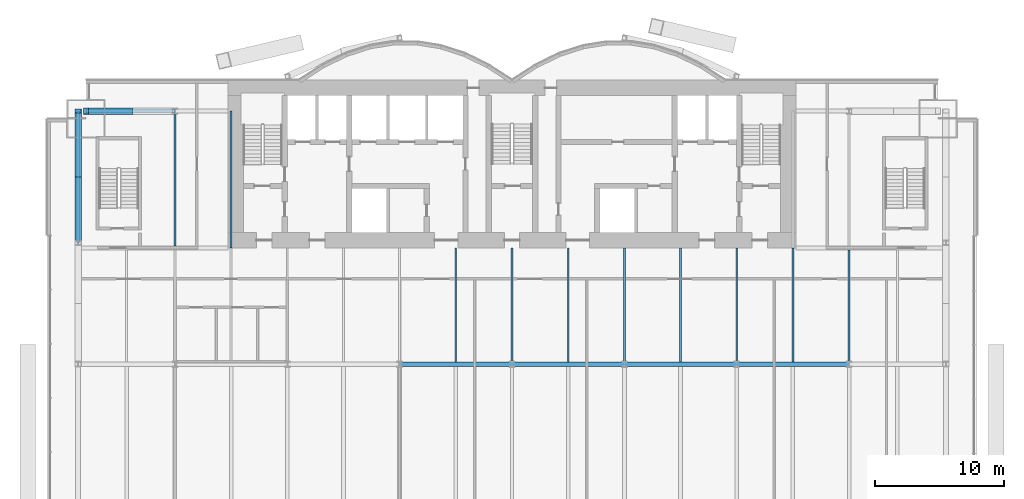
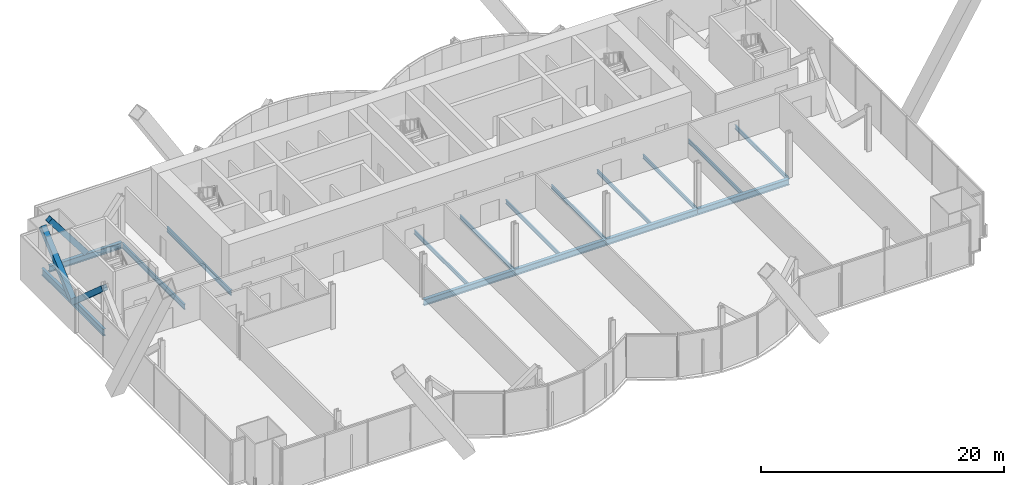
# One storey, part 10 of 23: 16 beams, 3 members.
"""IFC4 building model written with IfcOpenShell, lengths in metres."""

from ifc_helpers import new_model, si_unit, direction, frame, origin, origin_2d, place, context, subcontext, project, spatial, hollow_rectangle, i_section, extrude, material, material_profile, profile_set, type_object, element, save


model = new_model("IFC4")

# Units and contexts
model_context = context("Model", 3, precision=1e-05, world=origin(), true_north=direction((0.0, 1.0)))
body_context = subcontext(model_context, "Body", "Model", "MODEL_VIEW")
ifc_project = project(units=[si_unit("LENGTHUNIT", "METRE"), si_unit("AREAUNIT", "SQUARE_METRE"), si_unit("VOLUMEUNIT", "CUBIC_METRE"), si_unit("PLANEANGLEUNIT", "RADIAN"), si_unit("MASSUNIT", "GRAM", prefix="KILO")], contexts=[model_context])

# Site, building, storey
site_placement = place(None, origin())
site = spatial("IfcSite", under=ifc_project, at=site_placement, CompositionType="ELEMENT")
building_placement = place(site_placement, origin())
building = spatial("IfcBuilding", under=site, at=building_placement, Name="Bicima Exchange Tower", CompositionType="ELEMENT")
storey_placement = place(building_placement, frame((0.0, 0.0, 62.0)))
storey = spatial("IfcBuildingStorey", under=building, at=storey_placement, Name="L12", CompositionType="ELEMENT", Elevation=62.0)

# Beams
ifc_material_1 = material(Name="Steel ASTM A992 Gr 50", Category="steel")
ifc_material_profile_1 = material_profile(ifc_material_1, i_section(OverallWidth=0.256591796875, OverallDepth=0.693359375, WebThickness=0.014404296875, FlangeThickness=0.023681640625, at=origin_2d()))
ifc_profile_set_1 = profile_set([ifc_material_profile_1], Name="Steel ASTM A992 Gr 50")
beam_type_1 = type_object("IfcBeamType", Name="End girder W27x114", PredefinedType="BEAM", material=ifc_profile_set_1)
beam_1_placement = place(storey_placement, frame((-33.60009765625, -2.39990234375, -0.49658203125), z_axis=(0.0, -1.0, 0.0), x_axis=(1.0, 0.0, 0.0)))
element("IfcBeam", 1, at=beam_1_placement, inside=storey, type_object=beam_type_1, Name="End girder", PredefinedType="BEAM", context=body_context, shape_type="SweptSolid", body=[
    extrude(i_section(OverallWidth=0.256591796875, OverallDepth=0.693359375, WebThickness=0.014404296875, FlangeThickness=0.023681640625, at=origin_2d()), origin(), (0.0, 0.0, 1.0), 10.2001953125),
])
ifc_material_profile_2 = material_profile(ifc_material_1, i_section(OverallWidth=0.140380859375, OverallDepth=0.40380859375, WebThickness=0.007080078125, FlangeThickness=0.01123046875, at=origin_2d()))
ifc_profile_set_2 = profile_set([ifc_material_profile_2], Name="Steel ASTM A992 Gr 50")
beam_type_2 = type_object("IfcBeamType", Name="Floor beam W16x31", PredefinedType="JOIST", material=ifc_profile_set_2)
for number, where, z_axis, x_axis, name in (
    (2, (-4.35009765625, -13.0, -0.351806640625), (0.0, -1.0, 0.0), (1.0, 0.0, 0.0), "Floor beam"),
    (3, (0.0, -13.0, -0.351806640625), (0.0, -1.0, 0.0), (1.0, 0.0, 0.0), "Floor beam"),
    (4, (4.35009765625, -13.0, -0.351806640625), (0.0, -1.0, 0.0), (1.0, 0.0, 0.0), "Floor beam"),
    (5, (8.699951171875, -13.0, -0.351806640625), (0.0, -1.0, 0.0), (1.0, 0.0, 0.0), "Floor beam"),
    (6, (13.050048828125, -13.0, -0.351806640625), (0.0, -1.0, 0.0), (1.0, 0.0, 0.0), "Floor beam"),
    (7, (17.39990234375, -13.0, -0.351806640625), (0.0, -1.0, 0.0), (1.0, 0.0, 0.0), "Floor beam"),
    (8, (21.75, -13.0, -0.351806640625), (0.0, -1.0, 0.0), (1.0, 0.0, 0.0), "Floor beam"),
):
    element("IfcBeam", number, at=place(storey_placement, frame(where, z_axis=z_axis, x_axis=x_axis)), inside=storey, type_object=beam_type_2, Name=name, PredefinedType="JOIST", context=body_context, shape_type="SweptSolid", body=[
        extrude(i_section(OverallWidth=0.140380859375, OverallDepth=0.40380859375, WebThickness=0.007080078125, FlangeThickness=0.01123046875, at=origin_2d()), origin(), (0.0, 0.0, 1.0), 8.83740234375),
    ])
beam_2_placement = place(storey_placement, frame((26.10009765625, -13.15234375, -0.351806640625), z_axis=(0.0, -1.0, 0.0), x_axis=(1.0, 0.0, 0.0)))
element("IfcBeam", 9, at=beam_2_placement, inside=storey, type_object=beam_type_2, Name="Floor beam", PredefinedType="JOIST", context=body_context, shape_type="SweptSolid", body=[
    extrude(i_section(OverallWidth=0.140380859375, OverallDepth=0.40380859375, WebThickness=0.007080078125, FlangeThickness=0.01123046875, at=origin_2d()), origin(), (0.0, 0.0, 1.0), 8.68505859375),
])
ifc_material_profile_3 = material_profile(ifc_material_1, i_section(OverallWidth=0.165771484375, OverallDepth=0.5283203125, WebThickness=0.009765625, FlangeThickness=0.013671875, at=origin_2d()))
ifc_profile_set_3 = profile_set([ifc_material_profile_3], Name="Steel ASTM A992 Gr 50")
beam_type_3 = type_object("IfcBeamType", Name="Floor beam W21x50", PredefinedType="JOIST", material=ifc_profile_set_3)
beam_3_placement = place(storey_placement, frame((-26.10009765625, -2.5625, -0.414306640625), z_axis=(0.0, -1.0, 0.0), x_axis=(1.0, 0.0, 0.0)))
element("IfcBeam", 10, at=beam_3_placement, inside=storey, type_object=beam_type_3, Name="Floor beam", PredefinedType="JOIST", context=body_context, shape_type="SweptSolid", body=[
    extrude(i_section(OverallWidth=0.165771484375, OverallDepth=0.5283203125, WebThickness=0.009765625, FlangeThickness=0.013671875, at=origin_2d()), origin(), (0.0, 0.0, 1.0), 10.28515625),
])
beam_4_placement = place(storey_placement, frame((-21.75, -2.39990234375, -0.414306640625), z_axis=(0.0, -1.0, 0.0), x_axis=(1.0, 0.0, 0.0)))
element("IfcBeam", 11, at=beam_4_placement, inside=storey, type_object=beam_type_3, Name="Floor beam", PredefinedType="JOIST", context=body_context, shape_type="SweptSolid", body=[
    extrude(i_section(OverallWidth=0.165771484375, OverallDepth=0.5283203125, WebThickness=0.009765625, FlangeThickness=0.013671875, at=origin_2d()), origin(), (0.0, 0.0, 1.0), 10.60009765625),
])

# Members
ifc_material_2 = material(Name="Steel ASTM A572 Gr 50", Category="steel")
ifc_material_profile_4 = material_profile(ifc_material_2, hollow_rectangle(XDim=0.508056640625, YDim=0.508056640625, WallThickness=0.017822265625, at=origin_2d()))
ifc_profile_set_4 = profile_set([ifc_material_profile_4], Name="Steel ASTM A572 Gr 50")
member_type = type_object("IfcMemberType", Name="Mega brace HSS20x20x3/4", PredefinedType="BRACE", material=ifc_profile_set_4)
member_placement = place(storey_placement, frame((-29.550048828125, -2.39990234375, 0.0), z_axis=(-0.608426120198, 0.0, 0.793610519248), x_axis=(0.0, -1.0, 0.0)))
element("IfcMember", 12, at=member_placement, inside=storey, type_object=member_type, Name="Mega brace rear", PredefinedType="BRACE", context=body_context, shape_type="SweptSolid", body=[
    extrude(hollow_rectangle(XDim=0.508056640625, YDim=0.508056640625, WallThickness=0.017822265625, at=origin_2d()), origin(), (0.0, 0.0, 1.0), 5.670166015625),
])
for number, where, z_axis, x_axis, name in (
    (13, (-33.60009765625, -7.5, -0.49658203125), (0.0, -0.749844140428, 0.661614513948), (1.0, 0.0, 0.0), "Mega brace west end"),
    (14, (-33.60009765625, -7.5, -0.49658203125), (0.0, 0.749844140428, 0.661614513948), (-1.0, 0.0, 0.0), "Mega brace west end"),
):
    element("IfcMember", number, at=place(storey_placement, frame(where, z_axis=z_axis, x_axis=x_axis)), inside=storey, type_object=member_type, Name=name, PredefinedType="BRACE", context=body_context, shape_type="SweptSolid", body=[
        extrude(hollow_rectangle(XDim=0.508056640625, YDim=0.508056640625, WallThickness=0.017822265625, at=origin_2d()), origin(), (0.0, 0.0, 1.0), 6.801513671875),
    ])

# Beams
ifc_material_profile_5 = material_profile(ifc_material_1, i_section(OverallWidth=0.3251953125, OverallDepth=0.612060546875, WebThickness=0.0126953125, FlangeThickness=0.01904296875, at=origin_2d()))
ifc_profile_set_5 = profile_set([ifc_material_profile_5], Name="Steel ASTM A992 Gr 50")
beam_type_4 = type_object("IfcBeamType", Name="Rear girder W24x104", PredefinedType="BEAM", material=ifc_profile_set_5)
beam_5_placement = place(storey_placement, frame((-26.10009765625, -2.39990234375, -0.4560546875), z_axis=(-1.0, 0.0, 0.0), x_axis=(0.0, -1.0, 0.0)))
element("IfcBeam", 15, at=beam_5_placement, inside=storey, type_object=beam_type_4, Name="Rear girder", PredefinedType="BEAM", context=body_context, shape_type="SweptSolid", body=[
    extrude(i_section(OverallWidth=0.3251953125, OverallDepth=0.612060546875, WebThickness=0.0126953125, FlangeThickness=0.01904296875, at=origin_2d()), origin(), (0.0, 0.0, 1.0), 6.89990234375),
])
beam_type_5 = type_object("IfcBeamType", Name="Row girder W24x104", PredefinedType="BEAM", material=ifc_profile_set_5)
for number, where, z_axis, x_axis, name in (
    (16, (-8.699951171875, -22.0, -0.4560546875), (1.0, 0.0, 0.0), (0.0, 1.0, 0.0), "Row girder"),
    (17, (0.0, -22.0, -0.4560546875), (1.0, 0.0, 0.0), (0.0, 1.0, 0.0), "Row girder"),
    (18, (8.699951171875, -22.0, -0.4560546875), (1.0, 0.0, 0.0), (0.0, 1.0, 0.0), "Row girder"),
):
    element("IfcBeam", number, at=place(storey_placement, frame(where, z_axis=z_axis, x_axis=x_axis)), inside=storey, type_object=beam_type_5, Name=name, PredefinedType="BEAM", context=body_context, shape_type="SweptSolid", body=[
        extrude(i_section(OverallWidth=0.3251953125, OverallDepth=0.612060546875, WebThickness=0.0126953125, FlangeThickness=0.01904296875, at=origin_2d()), origin(), (0.0, 0.0, 1.0), 8.699951171875),
    ])
beam_6_placement = place(storey_placement, frame((17.39990234375, -22.0, -0.4560546875), z_axis=(1.0, 0.0, 0.0), x_axis=(0.0, 1.0, 0.0)))
element("IfcBeam", 19, at=beam_6_placement, inside=storey, type_object=beam_type_5, Name="Row girder", PredefinedType="BEAM", context=body_context, shape_type="SweptSolid", body=[
    extrude(i_section(OverallWidth=0.3251953125, OverallDepth=0.612060546875, WebThickness=0.0126953125, FlangeThickness=0.01904296875, at=origin_2d()), origin(), (0.0, 0.0, 1.0), 8.7001953125),
])

save(model, "model.ifc")
